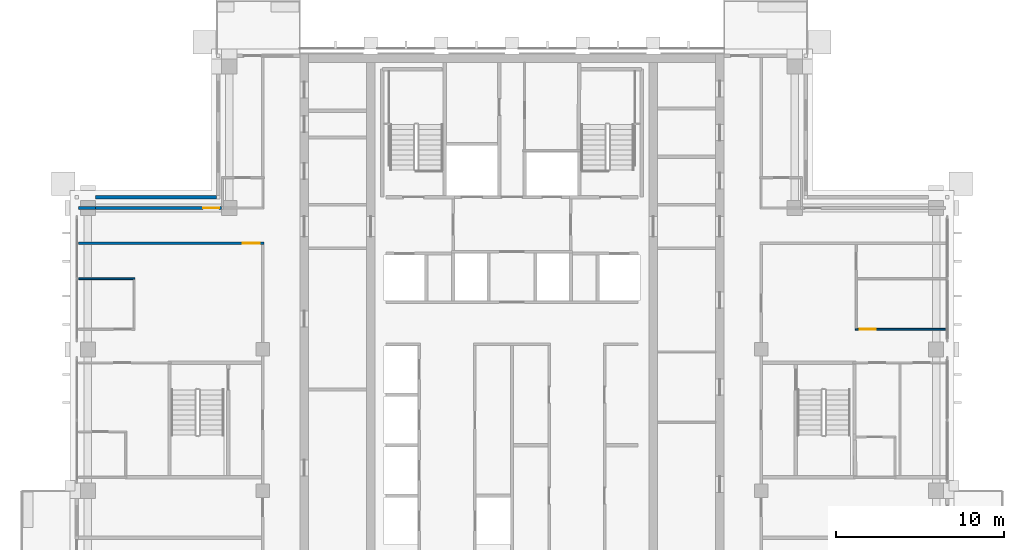
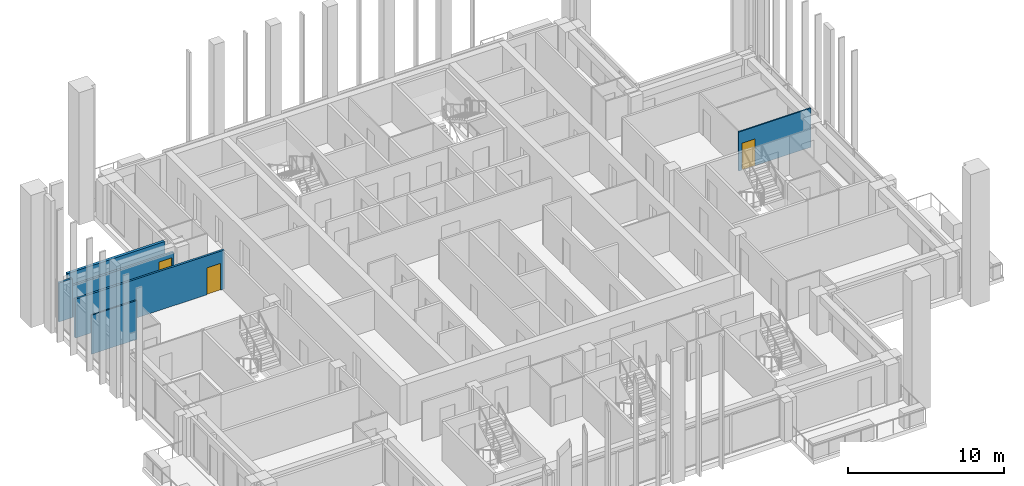
# One storey, part 13 of 20: 6 walls, 3 doors, 3 openings.
"""IFC4 building model written with IfcOpenShell, lengths in metres."""

from ifc_helpers import new_model, si_unit, direction, frame, frame_2d, origin, place, context, subcontext, project, spatial, rectangle, extrude, material, layer, layer_set, type_object, element, fill, save


model = new_model("IFC4")

# Units and contexts
model_context = context("Model", 3, precision=1e-05, world=origin(), true_north=direction((0.0, 1.0)))
body_context = subcontext(model_context, "Body", "Model", "MODEL_VIEW")
ifc_project = project(units=[si_unit("LENGTHUNIT", "METRE"), si_unit("AREAUNIT", "SQUARE_METRE"), si_unit("VOLUMEUNIT", "CUBIC_METRE"), si_unit("PLANEANGLEUNIT", "RADIAN"), si_unit("MASSUNIT", "GRAM", prefix="KILO")], contexts=[model_context])

# Site, building, storey
site_placement = place(None, origin())
site = spatial("IfcSite", under=ifc_project, at=site_placement, CompositionType="ELEMENT")
building_placement = place(site_placement, origin())
building = spatial("IfcBuilding", under=site, at=building_placement, Name="Vermilion Ogive Tower", CompositionType="ELEMENT")
storey_placement = place(building_placement, frame((0.0, 0.0, 223.449951171875)))
storey = spatial("IfcBuildingStorey", under=building, at=storey_placement, Name="L58", CompositionType="ELEMENT", Elevation=223.449951171875)

# Wall, opening, door
ifc_material_1 = material(Name="Gypsum board partition on steel studs", Category="steel")
ifc_layer_1 = layer(ifc_material_1, 0.10009765625)
ifc_layer_set_1 = layer_set([ifc_layer_1], Name="Partition 100 inner")
wall_type_1 = type_object("IfcWallType", Name="Partition 100 inner", PredefinedType="PARTITIONING", material=ifc_layer_set_1)
wall_1_placement = place(storey_placement, frame((20.39990234375, 5.39990234375, 0.0), z_axis=(0.0, 0.0, 1.0), x_axis=(1.0, 0.0, 0.0)))
wall_1 = element("IfcWall", 1, at=wall_1_placement, inside=storey, type_object=wall_type_1, Name="L58-W-W028", PredefinedType="PARTITIONING", context=body_context, shape_type="SweptSolid", body=[
    extrude(rectangle(XDim=5.35009765625, YDim=0.10009765625, at=frame_2d((2.675048828125, 0.0))), origin(), (0.0, 0.0, 1.0), 3.050048828125),
])
opening_1_placement = place(wall_1_placement, frame((0.25, 0.0, 0.0)))
opening_1 = element("IfcOpeningElement", 2, at=opening_1_placement, cuts=wall_1, Name="Opening D5G1016", PredefinedType="OPENING", context=body_context, shape_type="SweptSolid", body=[
    extrude(rectangle(XDim=0.949951171875, YDim=2.10009765625, at=frame_2d((0.47509765625, 1.050048828125))), frame((0.0, 0.06005859375, 0.0), z_axis=(0.0, -1.0, 0.0), x_axis=(1.0, 0.0, 0.0)), (0.0, 0.0, 1.0), 0.1201171875),
])
ifc_material_2 = material(Name="Timber door leaf", Category="wood")
door_type_1 = type_object("IfcDoorType", Name="Inner door 950 x 2100 FD30", OperationType="SINGLE_SWING_LEFT", PredefinedType="DOOR", material=ifc_material_2)
door_1_placement = place(opening_1_placement, origin())
door_1 = element("IfcDoor", 3, at=door_1_placement, inside=storey, type_object=door_type_1, Name="L58-D-D016", OperationType="SINGLE_SWING_LEFT", OverallHeight=2.10009765625, OverallWidth=0.949951171875, PredefinedType="DOOR", context=body_context, shape_type="SweptSolid", body=[
    extrude(rectangle(XDim=0.949951171875, YDim=2.10009765625, at=frame_2d((0.47509765625, 1.050048828125))), frame((0.0, 0.02490234375, 0.0), z_axis=(0.0, -1.0, 0.0), x_axis=(1.0, 0.0, 0.0)), (0.0, 0.0, 1.0), 0.050048828125),
])
fill(opening_1, door_1)

# Wall
wall_2_placement = place(storey_placement, frame((-25.75, 8.39990234375, 0.0), z_axis=(0.0, 0.0, 1.0), x_axis=(1.0, 0.0, 0.0)))
element("IfcWall", 4, at=wall_2_placement, inside=storey, type_object=wall_type_1, Name="L58-W-W029", PredefinedType="PARTITIONING", context=body_context, shape_type="SweptSolid", body=[
    extrude(rectangle(XDim=3.35009765625, YDim=0.10009765625, at=frame_2d((1.675048828125, 0.0))), origin(), (0.0, 0.0, 1.0), 3.050048828125),
])

# Wall, opening, door
ifc_material_3 = material(Name="Gypsum board partition on steel studs", Category="steel")
ifc_layer_2 = layer(ifc_material_3, 0.14990234375)
ifc_layer_set_2 = layer_set([ifc_layer_2], Name="Partition 150 corridor")
wall_type_2 = type_object("IfcWallType", Name="Partition 150 corridor", PredefinedType="PARTITIONING", material=ifc_layer_set_2)
wall_3_placement = place(storey_placement, frame((-25.75, 10.5, 0.0), z_axis=(0.0, 0.0, 1.0), x_axis=(1.0, 0.0, 0.0)))
wall_3 = element("IfcWall", 5, at=wall_3_placement, inside=storey, type_object=wall_type_2, Name="L58-W-W031", PredefinedType="PARTITIONING", context=body_context, shape_type="SweptSolid", body=[
    extrude(rectangle(XDim=11.02490234375, YDim=0.14990234375, at=frame_2d((5.512451171875, 0.0))), origin(), (0.0, 0.0, 1.0), 3.050048828125),
])
opening_2_placement = place(wall_3_placement, frame((9.75, 0.0, 0.0)))
opening_2 = element("IfcOpeningElement", 6, at=opening_2_placement, cuts=wall_3, Name="Opening D5G1004", PredefinedType="OPENING", context=body_context, shape_type="SweptSolid", body=[
    extrude(rectangle(XDim=1.0, YDim=2.10009765625, at=frame_2d((0.5, 1.050048828125))), frame((0.0, 0.0849609375, 0.0), z_axis=(0.0, -1.0, 0.0), x_axis=(1.0, 0.0, 0.0)), (0.0, 0.0, 1.0), 0.169921875),
])
ifc_material_4 = material(Name="Timber door leaf", Category="wood")
door_type_2 = type_object("IfcDoorType", Name="Unit door 1000 x 2100 FD30S", OperationType="SINGLE_SWING_LEFT", PredefinedType="DOOR", material=ifc_material_4)
door_2_placement = place(opening_2_placement, origin())
door_2 = element("IfcDoor", 7, at=door_2_placement, inside=storey, type_object=door_type_2, Name="L58-D-D004", OperationType="SINGLE_SWING_RIGHT", OverallHeight=2.10009765625, OverallWidth=1.0, PredefinedType="DOOR", context=body_context, shape_type="SweptSolid", body=[
    extrude(rectangle(XDim=1.0, YDim=2.10009765625, at=frame_2d((0.5, 1.050048828125))), frame((0.0, 0.02490234375, 0.0), z_axis=(0.0, -1.0, 0.0), x_axis=(1.0, 0.0, 0.0)), (0.0, 0.0, 1.0), 0.050048828125),
])
fill(opening_2, door_2)

# Wall
wall_4_placement = place(storey_placement, frame((-25.75, 12.60009765625, 0.0), z_axis=(0.0, 0.0, 1.0), x_axis=(1.0, 0.0, 0.0)))
element("IfcWall", 8, at=wall_4_placement, inside=storey, type_object=wall_type_2, Name="L58-W-W033", PredefinedType="PARTITIONING", context=body_context, shape_type="SweptSolid", body=[
    extrude(rectangle(XDim=1.0, YDim=0.14990234375, at=frame_2d((0.5, 0.0))), origin(), (0.0, 0.0, 1.0), 3.050048828125),
])

# Wall, opening, door
wall_5_placement = place(storey_placement, frame((-24.75, 12.60009765625, 0.0), z_axis=(0.0, 0.0, 1.0), x_axis=(1.0, 0.0, 0.0)))
wall_5 = element("IfcWall", 9, at=wall_5_placement, inside=storey, type_object=wall_type_2, Name="L58-W-W033-h1", PredefinedType="PARTITIONING", context=body_context, shape_type="SweptSolid", body=[
    extrude(rectangle(XDim=7.5, YDim=0.14990234375, at=frame_2d((3.75, 0.0))), origin(), (0.0, 0.0, 1.0), 2.5),
])
opening_3_placement = place(wall_5_placement, frame((6.39990234375, 0.0, 0.0)))
opening_3 = element("IfcOpeningElement", 10, at=opening_3_placement, cuts=wall_5, Name="Opening D5G1007", PredefinedType="OPENING", context=body_context, shape_type="SweptSolid", body=[
    extrude(rectangle(XDim=0.949951171875, YDim=2.10009765625, at=frame_2d((0.47509765625, 1.050048828125))), frame((0.0, 0.0849609375, 0.0), z_axis=(0.0, -1.0, 0.0), x_axis=(1.0, 0.0, 0.0)), (0.0, 0.0, 1.0), 0.169921875),
])
ifc_material_5 = material(Name="Timber door leaf", Category="wood")
door_type_3 = type_object("IfcDoorType", Name="Unit door 950 x 2100 FD30S", OperationType="SINGLE_SWING_LEFT", PredefinedType="DOOR", material=ifc_material_5)
door_3_placement = place(opening_3_placement, origin())
door_3 = element("IfcDoor", 11, at=door_3_placement, inside=storey, type_object=door_type_3, Name="L58-D-D007", OperationType="SINGLE_SWING_LEFT", OverallHeight=2.10009765625, OverallWidth=0.949951171875, PredefinedType="DOOR", context=body_context, shape_type="SweptSolid", body=[
    extrude(rectangle(XDim=0.949951171875, YDim=2.10009765625, at=frame_2d((0.47509765625, 1.050048828125))), frame((0.0, 0.02490234375, 0.0), z_axis=(0.0, -1.0, 0.0), x_axis=(1.0, 0.0, 0.0)), (0.0, 0.0, 1.0), 0.050048828125),
])
fill(opening_3, door_3)

# Wall
ifc_material_6 = material(Name="Aluminium window wall framing", Category="aluminium")
ifc_layer_3 = layer(ifc_material_6, 0.199951171875)
ifc_layer_set_3 = layer_set([ifc_layer_3], Name="Window wall")
wall_type_3 = type_object("IfcWallType", Name="Window wall", PredefinedType="STANDARD", material=ifc_layer_set_3)
wall_6_placement = place(storey_placement, frame((-17.550048828125, 13.25, 0.0), z_axis=(0.0, 0.0, 1.0), x_axis=(-1.0, 0.0, 0.0)))
element("IfcWall", 12, at=wall_6_placement, inside=storey, type_object=wall_type_3, Name="Window wall X61", PredefinedType="STANDARD", context=body_context, shape_type="SweptSolid", body=[
    extrude(rectangle(XDim=7.199951171875, YDim=0.199951171875, at=frame_2d((3.60009765625, 0.0))), origin(), (0.0, 0.0, 1.0), 3.050048828125),
])

save(model, "model.ifc")
